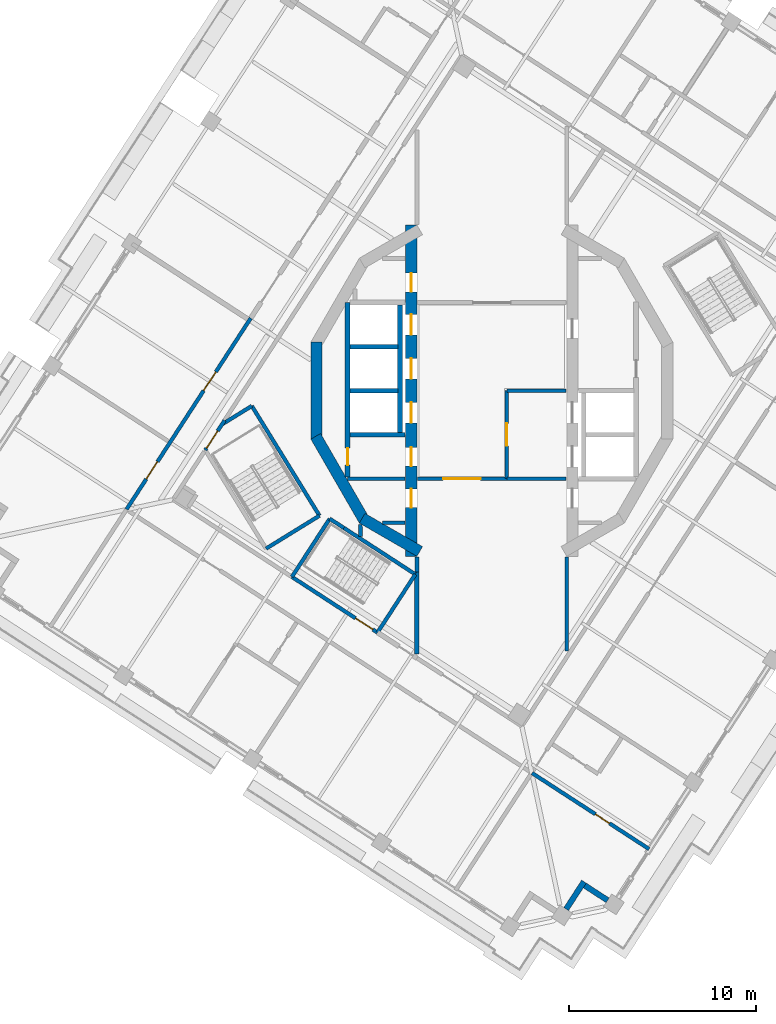
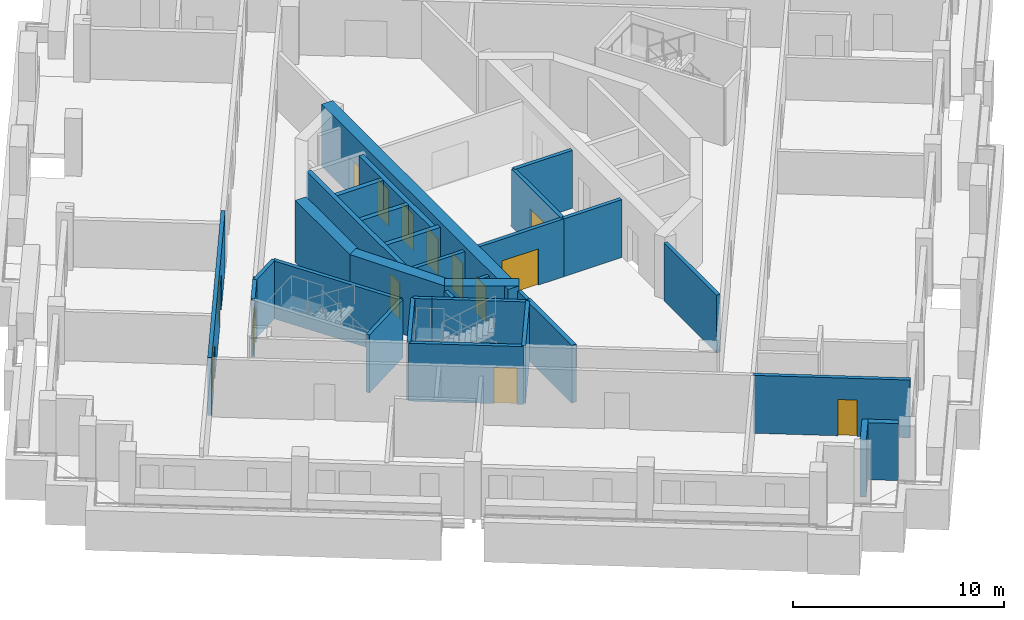
# One storey, part 5 of 15: 32 walls, 14 doors, 14 openings.
"""IFC4 building model written with IfcOpenShell, lengths in metres."""

from ifc_helpers import new_model, si_unit, direction, frame, frame_2d, origin, place, context, subcontext, project, spatial, rectangle, extrude, material, layer, layer_set, type_object, element, fill, save


model = new_model("IFC4")

# Units and contexts
model_context = context("Model", 3, precision=1e-05, world=origin(), true_north=direction((0.0, 1.0)))
body_context = subcontext(model_context, "Body", "Model", "MODEL_VIEW")
ifc_project = project(units=[si_unit("LENGTHUNIT", "METRE"), si_unit("AREAUNIT", "SQUARE_METRE"), si_unit("VOLUMEUNIT", "CUBIC_METRE"), si_unit("PLANEANGLEUNIT", "RADIAN"), si_unit("MASSUNIT", "GRAM", prefix="KILO")], contexts=[model_context])

# Site, building, storey
site_placement = place(None, origin())
site = spatial("IfcSite", under=ifc_project, at=site_placement, CompositionType="ELEMENT")
building_placement = place(site_placement, origin())
building = spatial("IfcBuilding", under=site, at=building_placement, Name="Cantera Rosa Tower", CompositionType="ELEMENT")
storey_placement = place(building_placement, frame((0.0, 0.0, 282.89990234375)))
storey = spatial("IfcBuildingStorey", under=building, at=storey_placement, Name="L64", CompositionType="ELEMENT", Elevation=282.89990234375)

# Wall
ifc_material_1 = material(Name="Gypsum board partition")
ifc_layer_1 = layer(ifc_material_1, 0.199951171875)
ifc_layer_set_1 = layer_set([ifc_layer_1], Name="CORRIDOR WALL 200 H3350")
wall_type_1 = type_object("IfcWallType", Name="CORRIDOR WALL 200 H3350", PredefinedType="PARTITIONING", material=ifc_layer_set_1)
wall_1_placement = place(storey_placement, frame((-4.0, -9.67578125, 0.0), z_axis=(0.0, 0.0, 1.0), x_axis=(0.0, 1.0, 0.0)))
element("IfcWall", 1, at=wall_1_placement, inside=storey, type_object=wall_type_1, Name="CORRIDOR WALL L64-039", PredefinedType="PARTITIONING", context=body_context, shape_type="SweptSolid", body=[
    extrude(rectangle(XDim=0.796875, YDim=0.199951171875, at=frame_2d((0.3984375, 0.0))), origin(), (0.0, 0.0, 1.0), 3.35009765625),
])

# Wall, openings, doors
wall_2_placement = place(storey_placement, frame((-12.869384765625, 3.8681640625, 0.0), z_axis=(0.0, 0.0, 1.0), x_axis=(-0.544651825178, -0.838662261778, 0.0)))
wall_2 = element("IfcWall", 2, at=wall_2_placement, inside=storey, type_object=wall_type_1, Name="CORRIDOR WALL L64-043", PredefinedType="PARTITIONING", context=body_context, shape_type="SweptSolid", body=[
    extrude(rectangle(XDim=12.1650390625, YDim=0.199951171875, at=frame_2d((6.08251953125, 0.0))), origin(), (0.0, 0.0, 1.0), 3.35009765625),
])
opening_1_placement = place(wall_2_placement, frame((3.4150390625, 0.0, 0.0)))
opening_1 = element("IfcOpeningElement", 3, at=opening_1_placement, cuts=wall_2, Name="Opening L64-024", PredefinedType="OPENING", context=body_context, shape_type="SweptSolid", body=[
    extrude(rectangle(XDim=1.199951171875, YDim=2.10009765625, at=frame_2d((0.60009765625, 1.050048828125))), frame((0.0, 0.10986328125, 0.0), z_axis=(0.0, -1.0, 0.0), x_axis=(1.0, 0.0, 0.0)), (0.0, 0.0, 1.0), 0.219970703125),
])
opening_2_placement = place(wall_2_placement, frame((9.135009765625, 0.0, 0.0)))
opening_2 = element("IfcOpeningElement", 4, at=opening_2_placement, cuts=wall_2, Name="Opening L64-028", PredefinedType="OPENING", context=body_context, shape_type="SweptSolid", body=[
    extrude(rectangle(XDim=1.10009765625, YDim=2.10009765625, at=frame_2d((0.550048828125, 1.050048828125))), frame((0.0, 0.10986328125, 0.0), z_axis=(0.0, -1.0, 0.0), x_axis=(1.0, 0.0, 0.0)), (0.0, 0.0, 1.0), 0.219970703125),
])
ifc_material_2 = material(Name="Timber door leaf", Category="wood")
door_type_1 = type_object("IfcDoorType", Name="ROOM DOOR 1100x2100", OperationType="NOTDEFINED", PredefinedType="DOOR", material=ifc_material_2)
door_1_placement = place(opening_2_placement, origin())
door_1 = element("IfcDoor", 5, at=door_1_placement, inside=storey, type_object=door_type_1, Name="DOOR L64-028", OperationType="NOTDEFINED", OverallHeight=2.10009765625, OverallWidth=1.10009765625, PredefinedType="DOOR", context=body_context, shape_type="SweptSolid", body=[
    extrude(rectangle(XDim=1.10009765625, YDim=2.10009765625, at=frame_2d((0.550048828125, 1.050048828125))), frame((0.0, 0.02490234375, 0.0), z_axis=(0.0, -1.0, 0.0), x_axis=(1.0, 0.0, 0.0)), (0.0, 0.0, 1.0), 0.050048828125),
])
fill(opening_2, door_1)
ifc_material_3 = material(Name="Timber door leaf", Category="wood")
door_type_2 = type_object("IfcDoorType", Name="ROOM DOOR 1200x2100", OperationType="NOTDEFINED", PredefinedType="DOOR", material=ifc_material_3)
door_2_placement = place(opening_1_placement, origin())
door_2 = element("IfcDoor", 6, at=door_2_placement, inside=storey, type_object=door_type_2, Name="DOOR L64-024", OperationType="NOTDEFINED", OverallHeight=2.10009765625, OverallWidth=1.199951171875, PredefinedType="DOOR", context=body_context, shape_type="SweptSolid", body=[
    extrude(rectangle(XDim=1.199951171875, YDim=2.10009765625, at=frame_2d((0.60009765625, 1.050048828125))), frame((0.0, 0.02490234375, 0.0), z_axis=(0.0, -1.0, 0.0), x_axis=(1.0, 0.0, 0.0)), (0.0, 0.0, 1.0), 0.050048828125),
])
fill(opening_1, door_2)

# Wall, opening, door
wall_3_placement = place(storey_placement, frame((0.800048828125, -4.699951171875, 0.0), z_axis=(0.0, 0.0, 1.0), x_axis=(-1.0, 0.0, 0.0)))
wall_3 = element("IfcWall", 7, at=wall_3_placement, inside=storey, type_object=wall_type_1, Name="CORRIDOR WALL L64-048", PredefinedType="PARTITIONING", context=body_context, shape_type="SweptSolid", body=[
    extrude(rectangle(XDim=4.77001953125, YDim=0.199951171875, at=frame_2d((2.385009765625, 0.0))), origin(), (0.0, 0.0, 1.0), 3.35009765625),
])
opening_3_placement = place(wall_3_placement, frame((1.39990234375, 0.0, 0.0)))
opening_3 = element("IfcOpeningElement", 8, at=opening_3_placement, cuts=wall_3, Name="Opening L64-011", PredefinedType="OPENING", context=body_context, shape_type="SweptSolid", body=[
    extrude(rectangle(XDim=2.0, YDim=2.10009765625, at=frame_2d((1.0, 1.050048828125))), frame((0.0, 0.10986328125, 0.0), z_axis=(0.0, -1.0, 0.0), x_axis=(1.0, 0.0, 0.0)), (0.0, 0.0, 1.0), 0.219970703125),
])
ifc_material_4 = material(Name="Steel S355J2 (EN 10025-2)", Category="steel")
door_type_3 = type_object("IfcDoorType", Name="LOBBY SCREEN DOOR 2000x2100", OperationType="NOTDEFINED", PredefinedType="DOOR", material=ifc_material_4)
door_3_placement = place(opening_3_placement, origin())
door_3 = element("IfcDoor", 9, at=door_3_placement, inside=storey, type_object=door_type_3, Name="DOOR L64-011", OperationType="NOTDEFINED", OverallHeight=2.10009765625, OverallWidth=2.0, PredefinedType="DOOR", context=body_context, shape_type="SweptSolid", body=[
    extrude(rectangle(XDim=2.0, YDim=2.10009765625, at=frame_2d((1.0, 1.050048828125))), frame((0.0, 0.02490234375, 0.0), z_axis=(0.0, -1.0, 0.0), x_axis=(1.0, 0.0, 0.0)), (0.0, 0.0, 1.0), 0.050048828125),
])
fill(opening_3, door_3)

# Walls
wall_4_placement = place(storey_placement, frame((4.0, -13.90087890625, 0.0), z_axis=(0.0, 0.0, 1.0), x_axis=(0.0, 1.0, 0.0)))
element("IfcWall", 10, at=wall_4_placement, inside=storey, type_object=wall_type_1, Name="CORRIDOR WALL L64-055", PredefinedType="PARTITIONING", context=body_context, shape_type="SweptSolid", body=[
    extrude(rectangle(XDim=5.02197265625, YDim=0.199951171875, at=frame_2d((2.510986328125, 0.0))), origin(), (0.0, 0.0, 1.0), 3.35009765625),
])
ifc_material_5 = material(Name="Hollow clay masonry with cantera stone cladding", Category="masonry")
ifc_layer_2 = layer(ifc_material_5, 0.300048828125)
ifc_layer_set_2 = layer_set([ifc_layer_2], Name="EW-LOGGIA 300")
wall_type_2 = type_object("IfcWallType", Name="EW-LOGGIA 300", PredefinedType="SOLIDWALL", material=ifc_layer_set_2)
wall_5_placement = place(storey_placement, frame((3.966796875, -27.67529296875, 0.0), z_axis=(0.0, 0.0, 1.0), x_axis=(0.544679362749, 0.83864437743, 0.0)))
element("IfcWall", 11, at=wall_5_placement, inside=storey, type_object=wall_type_2, Name="EN-L64-W19a", PredefinedType="SOLIDWALL", context=body_context, shape_type="SweptSolid", body=[
    extrude(rectangle(XDim=1.75, YDim=0.300048828125, at=frame_2d((0.875, 0.0))), origin(), (0.0, 0.0, 1.0), 3.300048828125),
])
wall_6_placement = place(storey_placement, frame((4.964111328125, -26.415283203125, 0.0), z_axis=(0.0, 0.0, 1.0), x_axis=(0.838724343483, -0.544556218997, 0.0)))
element("IfcWall", 12, at=wall_6_placement, inside=storey, type_object=wall_type_2, Name="EN-L64-W19b", PredefinedType="SOLIDWALL", context=body_context, shape_type="SweptSolid", body=[
    extrude(rectangle(XDim=1.449951171875, YDim=0.300048828125, at=frame_2d((0.72509765625, 0.0))), origin(), (0.0, 0.0, 1.0), 3.300048828125),
])
ifc_material_6 = material(Name="Gypsum board partition")
ifc_layer_3 = layer(ifc_material_6, 0.199951171875)
ifc_layer_set_3 = layer_set([ifc_layer_3], Name="PARTITION 200 H3350")
wall_type_3 = type_object("IfcWallType", Name="PARTITION 200 H3350", PredefinedType="PARTITIONING", material=ifc_layer_set_3)
wall_7_placement = place(storey_placement, frame((-7.699951171875, -4.699951171875, 0.0), z_axis=(0.0, 0.0, 1.0), x_axis=(1.0, 0.0, 0.0)))
element("IfcWall", 13, at=wall_7_placement, inside=storey, type_object=wall_type_3, Name="PARTITION L64-021", PredefinedType="PARTITIONING", context=body_context, shape_type="SweptSolid", body=[
    extrude(rectangle(XDim=3.070068359375, YDim=0.199951171875, at=frame_2d((1.53515625, 0.0))), origin(), (0.0, 0.0, 1.0), 3.35009765625),
])
wall_8_placement = place(storey_placement, frame((-7.018798828125, -7.135986328125, 0.0), z_axis=(0.0, 0.0, 1.0), x_axis=(0.017606861895, -0.999844987193, 0.0)))
element("IfcWall", 14, at=wall_8_placement, inside=storey, type_object=wall_type_3, Name="PARTITION L64-027", PredefinedType="PARTITIONING", context=body_context, shape_type="SweptSolid", body=[
    extrude(rectangle(XDim=0.651611328125, YDim=0.199951171875, at=frame_2d((0.32568359375, 0.0))), origin(), (0.0, 0.0, 1.0), 3.35009765625),
])
wall_9_placement = place(storey_placement, frame((-4.6298828125, -7.050048828125, 0.0), z_axis=(0.0, 0.0, 1.0), x_axis=(-1.0, 0.0, 0.0)))
element("IfcWall", 15, at=wall_9_placement, inside=storey, type_object=wall_type_3, Name="PARTITION L64-034", PredefinedType="PARTITIONING", context=body_context, shape_type="SweptSolid", body=[
    extrude(rectangle(XDim=1.2177734375, YDim=0.199951171875, at=frame_2d((0.60888671875, 0.0))), origin(), (0.0, 0.0, 1.0), 3.35009765625),
])

# Wall, opening, door
wall_10_placement = place(storey_placement, frame((2.148681640625, -20.41357421875, 0.0), z_axis=(0.0, 0.0, 1.0), x_axis=(0.83866516607, -0.544647353083, 0.0)))
wall_10 = element("IfcWall", 16, at=wall_10_placement, inside=storey, type_object=wall_type_3, Name="PARTITION L64-052", PredefinedType="PARTITIONING", context=body_context, shape_type="SweptSolid", body=[
    extrude(rectangle(XDim=7.449951171875, YDim=0.199951171875, at=frame_2d((3.72509765625, 0.0))), origin(), (0.0, 0.0, 1.0), 3.35009765625),
])
opening_4_placement = place(wall_10_placement, frame((4.030029296875, 0.0, 0.0)))
opening_4 = element("IfcOpeningElement", 17, at=opening_4_placement, cuts=wall_10, Name="Opening L64-037", PredefinedType="OPENING", context=body_context, shape_type="SweptSolid", body=[
    extrude(rectangle(XDim=0.89990234375, YDim=2.10009765625, at=frame_2d((0.449951171875, 1.050048828125))), frame((0.0, 0.10986328125, 0.0), z_axis=(0.0, -1.0, 0.0), x_axis=(1.0, 0.0, 0.0)), (0.0, 0.0, 1.0), 0.219970703125),
])
ifc_material_7 = material(Name="Timber door leaf", Category="wood")
door_type_4 = type_object("IfcDoorType", Name="ROOM DOOR 900x2100", OperationType="NOTDEFINED", PredefinedType="DOOR", material=ifc_material_7)
door_4_placement = place(opening_4_placement, origin())
door_4 = element("IfcDoor", 18, at=door_4_placement, inside=storey, type_object=door_type_4, Name="DOOR L64-037", OperationType="NOTDEFINED", OverallHeight=2.10009765625, OverallWidth=0.89990234375, PredefinedType="DOOR", context=body_context, shape_type="SweptSolid", body=[
    extrude(rectangle(XDim=0.89990234375, YDim=2.10009765625, at=frame_2d((0.449951171875, 1.050048828125))), frame((0.0, 0.02490234375, 0.0), z_axis=(0.0, -1.0, 0.0), x_axis=(1.0, 0.0, 0.0)), (0.0, 0.0, 1.0), 0.050048828125),
])
fill(opening_4, door_4)

# Walls
ifc_material_8 = material(Name="Concrete C50/60", Category="concrete")
ifc_layer_4 = layer(ifc_material_8, 0.60009765625)
ifc_layer_set_4 = layer_set([ifc_layer_4], Name="RC CORE WALL 600 C50/60")
wall_type_4 = type_object("IfcWallType", Name="RC CORE WALL 600 C50/60", PredefinedType="SHEAR", material=ifc_layer_set_4)
wall_11_placement = place(storey_placement, frame((-3.85009765625, -8.584228515625, 0.0), z_axis=(0.0, 0.0, 1.0), x_axis=(-0.866039982607, 0.499974747889, 0.0)))
element("IfcWall", 19, at=wall_11_placement, inside=storey, type_object=wall_type_4, Name="CW-W1 L64", PredefinedType="SHEAR", context=body_context, shape_type="SweptSolid", body=[
    extrude(rectangle(XDim=3.546142578125, YDim=0.60009765625, at=frame_2d((1.77294921875, 0.0))), origin(), (0.0, 0.0, 1.0), 3.60009765625),
])
for number, where, z_axis, x_axis, name in (
    (20, (-6.811279296875, -6.921142578125, 0.0), (0.0, 0.0, 1.0), (-0.499989188378, 0.866031645787, 0.0), "CW-W2 L64"),
    (21, (-9.359375, -2.588134765625, 0.0), (0.0, 0.0, 1.0), (0.0, 1.0, 0.0), "CW-W3 L64"),
):
    element("IfcWall", number, at=place(storey_placement, frame(where, z_axis=z_axis, x_axis=x_axis)), inside=storey, type_object=wall_type_4, Name=name, PredefinedType="SHEAR", context=body_context, shape_type="SweptSolid", body=[
        extrude(rectangle(XDim=5.17626953125, YDim=0.60009765625, at=frame_2d((2.588134765625, 0.0))), origin(), (0.0, 0.0, 1.0), 3.60009765625),
    ])

# Wall, openings, doors
wall_12_placement = place(storey_placement, frame((-4.300048828125, 8.84423828125, 0.0), z_axis=(0.0, 0.0, 1.0), x_axis=(0.0, -1.0, 0.0)))
wall_12 = element("IfcWall", 22, at=wall_12_placement, inside=storey, type_object=wall_type_4, Name="CW-W6 L64", PredefinedType="SHEAR", context=body_context, shape_type="SweptSolid", body=[
    extrude(rectangle(XDim=17.6884765625, YDim=0.60009765625, at=frame_2d((8.84423828125, 0.0))), origin(), (0.0, 0.0, 1.0), 3.60009765625),
])
opening_5_placement = place(wall_12_placement, frame((9.468994140625, 0.0, 0.0)))
opening_5 = element("IfcOpeningElement", 23, at=opening_5_placement, cuts=wall_12, Name="Opening LD-H1-L64", PredefinedType="OPENING", context=body_context, shape_type="SweptSolid", body=[
    extrude(rectangle(XDim=1.10009765625, YDim=2.10009765625, at=frame_2d((0.550048828125, 1.050048828125))), frame((0.0, 0.31005859375, 0.0), z_axis=(0.0, -1.0, 0.0), x_axis=(1.0, 0.0, 0.0)), (0.0, 0.0, 1.0), 0.6201171875),
])
opening_6_placement = place(wall_12_placement, frame((7.119140625, 0.0, 0.0)))
opening_6 = element("IfcOpeningElement", 24, at=opening_6_placement, cuts=wall_12, Name="Opening LD-H2-L64", PredefinedType="OPENING", context=body_context, shape_type="SweptSolid", body=[
    extrude(rectangle(XDim=1.10009765625, YDim=2.10009765625, at=frame_2d((0.550048828125, 1.050048828125))), frame((0.0, 0.31005859375, 0.0), z_axis=(0.0, -1.0, 0.0), x_axis=(1.0, 0.0, 0.0)), (0.0, 0.0, 1.0), 0.6201171875),
])
opening_7_placement = place(wall_12_placement, frame((4.76904296875, 0.0, 0.0)))
opening_7 = element("IfcOpeningElement", 25, at=opening_7_placement, cuts=wall_12, Name="Opening LD-H3-L64", PredefinedType="OPENING", context=body_context, shape_type="SweptSolid", body=[
    extrude(rectangle(XDim=1.10009765625, YDim=2.10009765625, at=frame_2d((0.550048828125, 1.050048828125))), frame((0.0, 0.31005859375, 0.0), z_axis=(0.0, -1.0, 0.0), x_axis=(1.0, 0.0, 0.0)), (0.0, 0.0, 1.0), 0.6201171875),
])
opening_8_placement = place(wall_12_placement, frame((14.091552734375, 0.0, 0.0)))
opening_8 = element("IfcOpeningElement", 26, at=opening_8_placement, cuts=wall_12, Name="Opening SD-L64-13", PredefinedType="OPENING", context=body_context, shape_type="SweptSolid", body=[
    extrude(rectangle(XDim=1.0, YDim=2.10009765625, at=frame_2d((0.5, 1.050048828125))), frame((0.0, 0.31005859375, 0.0), z_axis=(0.0, -1.0, 0.0), x_axis=(1.0, 0.0, 0.0)), (0.0, 0.0, 1.0), 0.6201171875),
])
opening_9_placement = place(wall_12_placement, frame((2.572265625, 0.0, 0.0)))
opening_9 = element("IfcOpeningElement", 27, at=opening_9_placement, cuts=wall_12, Name="Opening SD-L64-14", PredefinedType="OPENING", context=body_context, shape_type="SweptSolid", body=[
    extrude(rectangle(XDim=1.0, YDim=2.10009765625, at=frame_2d((0.5, 1.050048828125))), frame((0.0, 0.31005859375, 0.0), z_axis=(0.0, -1.0, 0.0), x_axis=(1.0, 0.0, 0.0)), (0.0, 0.0, 1.0), 0.6201171875),
])
opening_10_placement = place(wall_12_placement, frame((11.869140625, 0.0, 0.0)))
opening_10 = element("IfcOpeningElement", 28, at=opening_10_placement, cuts=wall_12, Name="Opening SD-L64-15", PredefinedType="OPENING", context=body_context, shape_type="SweptSolid", body=[
    extrude(rectangle(XDim=1.0, YDim=2.10009765625, at=frame_2d((0.5, 1.050048828125))), frame((0.0, 0.31005859375, 0.0), z_axis=(0.0, -1.0, 0.0), x_axis=(1.0, 0.0, 0.0)), (0.0, 0.0, 1.0), 0.6201171875),
])
ifc_material_9 = material(Name="Steel S355J2 (EN 10025-2)", Category="steel")
door_type_5 = type_object("IfcDoorType", Name="LANDING DOOR 1100x2100", OperationType="NOTDEFINED", PredefinedType="DOOR", material=ifc_material_9)
door_5_placement = place(opening_5_placement, origin())
door_5 = element("IfcDoor", 29, at=door_5_placement, inside=storey, type_object=door_type_5, Name="LANDING DOOR H1 L64", OperationType="SLIDING_TO_LEFT", OverallHeight=2.10009765625, OverallWidth=1.10009765625, PredefinedType="DOOR", context=body_context, shape_type="SweptSolid", body=[
    extrude(rectangle(XDim=1.10009765625, YDim=2.10009765625, at=frame_2d((0.550048828125, 1.050048828125))), frame((0.0, 0.02490234375, 0.0), z_axis=(0.0, -1.0, 0.0), x_axis=(1.0, 0.0, 0.0)), (0.0, 0.0, 1.0), 0.050048828125),
])
fill(opening_5, door_5)
door_6_placement = place(opening_6_placement, origin())
door_6 = element("IfcDoor", 30, at=door_6_placement, inside=storey, type_object=door_type_5, Name="LANDING DOOR H2 L64", OperationType="SLIDING_TO_LEFT", OverallHeight=2.10009765625, OverallWidth=1.10009765625, PredefinedType="DOOR", context=body_context, shape_type="SweptSolid", body=[
    extrude(rectangle(XDim=1.10009765625, YDim=2.10009765625, at=frame_2d((0.550048828125, 1.050048828125))), frame((0.0, 0.02490234375, 0.0), z_axis=(0.0, -1.0, 0.0), x_axis=(1.0, 0.0, 0.0)), (0.0, 0.0, 1.0), 0.050048828125),
])
fill(opening_6, door_6)
door_7_placement = place(opening_7_placement, origin())
door_7 = element("IfcDoor", 31, at=door_7_placement, inside=storey, type_object=door_type_5, Name="LANDING DOOR H3 L64", OperationType="SLIDING_TO_LEFT", OverallHeight=2.10009765625, OverallWidth=1.10009765625, PredefinedType="DOOR", context=body_context, shape_type="SweptSolid", body=[
    extrude(rectangle(XDim=1.10009765625, YDim=2.10009765625, at=frame_2d((0.550048828125, 1.050048828125))), frame((0.0, 0.02490234375, 0.0), z_axis=(0.0, -1.0, 0.0), x_axis=(1.0, 0.0, 0.0)), (0.0, 0.0, 1.0), 0.050048828125),
])
fill(opening_7, door_7)
ifc_material_10 = material(Name="Timber door leaf", Category="wood")
door_type_6 = type_object("IfcDoorType", Name="SERVICE DOOR 1000x2100", OperationType="NOTDEFINED", PredefinedType="DOOR", material=ifc_material_10)
door_8_placement = place(opening_8_placement, origin())
door_8 = element("IfcDoor", 32, at=door_8_placement, inside=storey, type_object=door_type_6, Name="DOOR L64-SD13", OperationType="NOTDEFINED", OverallHeight=2.10009765625, OverallWidth=1.0, PredefinedType="DOOR", context=body_context, shape_type="SweptSolid", body=[
    extrude(rectangle(XDim=1.0, YDim=2.10009765625, at=frame_2d((0.5, 1.050048828125))), frame((0.0, 0.02490234375, 0.0), z_axis=(0.0, -1.0, 0.0), x_axis=(1.0, 0.0, 0.0)), (0.0, 0.0, 1.0), 0.050048828125),
])
fill(opening_8, door_8)
door_9_placement = place(opening_9_placement, origin())
door_9 = element("IfcDoor", 33, at=door_9_placement, inside=storey, type_object=door_type_6, Name="DOOR L64-SD14", OperationType="NOTDEFINED", OverallHeight=2.10009765625, OverallWidth=1.0, PredefinedType="DOOR", context=body_context, shape_type="SweptSolid", body=[
    extrude(rectangle(XDim=1.0, YDim=2.10009765625, at=frame_2d((0.5, 1.050048828125))), frame((0.0, 0.02490234375, 0.0), z_axis=(0.0, -1.0, 0.0), x_axis=(1.0, 0.0, 0.0)), (0.0, 0.0, 1.0), 0.050048828125),
])
fill(opening_9, door_9)
door_10_placement = place(opening_10_placement, origin())
door_10 = element("IfcDoor", 34, at=door_10_placement, inside=storey, type_object=door_type_6, Name="DOOR L64-SD15", OperationType="NOTDEFINED", OverallHeight=2.10009765625, OverallWidth=1.0, PredefinedType="DOOR", context=body_context, shape_type="SweptSolid", body=[
    extrude(rectangle(XDim=1.0, YDim=2.10009765625, at=frame_2d((0.5, 1.050048828125))), frame((0.0, 0.02490234375, 0.0), z_axis=(0.0, -1.0, 0.0), x_axis=(1.0, 0.0, 0.0)), (0.0, 0.0, 1.0), 0.050048828125),
])
fill(opening_10, door_10)

# Walls
ifc_material_11 = material(Name="Masonry blockwork", Category="masonry")
ifc_layer_5 = layer(ifc_material_11, 0.25)
ifc_layer_set_5 = layer_set([ifc_layer_5], Name="SHAFT WALL 250 H3350")
wall_type_5 = type_object("IfcWallType", Name="SHAFT WALL 250 H3350", PredefinedType="SOLIDWALL", material=ifc_layer_set_5)
for number, where, z_axis, x_axis, name in (
    (35, (-7.574951171875, 0.0, 0.0), (0.0, 0.0, 1.0), (1.0, 0.0, 0.0), "SHAFT WALL L64-022"),
    (36, (-7.574951171875, 2.35009765625, 0.0), (0.0, 0.0, 1.0), (1.0, 0.0, 0.0), "SHAFT WALL L64-023"),
):
    element("IfcWall", number, at=place(storey_placement, frame(where, z_axis=z_axis, x_axis=x_axis)), inside=storey, type_object=wall_type_5, Name=name, PredefinedType="SOLIDWALL", context=body_context, shape_type="SweptSolid", body=[
        extrude(rectangle(XDim=2.554931640625, YDim=0.25, at=frame_2d((1.27734375, 0.0))), origin(), (0.0, 0.0, 1.0), 3.35009765625),
    ])

# Wall, opening, door
wall_13_placement = place(storey_placement, frame((-7.699951171875, 4.699951171875, 0.0), z_axis=(0.0, 0.0, 1.0), x_axis=(0.0, -1.0, 0.0)))
wall_13 = element("IfcWall", 37, at=wall_13_placement, inside=storey, type_object=wall_type_5, Name="SHAFT WALL L64-024", PredefinedType="SOLIDWALL", context=body_context, shape_type="SweptSolid", body=[
    extrude(rectangle(XDim=9.320068359375, YDim=0.25, at=frame_2d((4.66015625, 0.0))), origin(), (0.0, 0.0, 1.0), 3.35009765625),
])
opening_11_placement = place(wall_13_placement, frame((7.7705078125, 0.0, 0.0)))
opening_11 = element("IfcOpeningElement", 38, at=opening_11_placement, cuts=wall_13, Name="Opening L64-042", PredefinedType="OPENING", context=body_context, shape_type="SweptSolid", body=[
    extrude(rectangle(XDim=0.89990234375, YDim=2.10009765625, at=frame_2d((0.449951171875, 1.050048828125))), frame((0.0, 0.135009765625, 0.0), z_axis=(0.0, -1.0, 0.0), x_axis=(1.0, 0.0, 0.0)), (0.0, 0.0, 1.0), 0.27001953125),
])
ifc_material_12 = material(Name="Timber door leaf", Category="wood")
door_type_7 = type_object("IfcDoorType", Name="SERVICE DOOR 900x2100", OperationType="NOTDEFINED", PredefinedType="DOOR", material=ifc_material_12)
door_11_placement = place(opening_11_placement, origin())
door_11 = element("IfcDoor", 39, at=door_11_placement, inside=storey, type_object=door_type_7, Name="RISER DOOR L64-042", OperationType="NOTDEFINED", OverallHeight=2.10009765625, OverallWidth=0.89990234375, PredefinedType="DOOR", context=body_context, shape_type="SweptSolid", body=[
    extrude(rectangle(XDim=0.89990234375, YDim=2.10009765625, at=frame_2d((0.449951171875, 1.050048828125))), frame((0.0, 0.02490234375, 0.0), z_axis=(0.0, -1.0, 0.0), x_axis=(1.0, 0.0, 0.0)), (0.0, 0.0, 1.0), 0.050048828125),
])
fill(opening_11, door_11)

# Walls
wall_14_placement = place(storey_placement, frame((-4.89990234375, -2.22509765625, 0.0), z_axis=(0.0, 0.0, 1.0), x_axis=(0.0, 1.0, 0.0)))
element("IfcWall", 40, at=wall_14_placement, inside=storey, type_object=wall_type_5, Name="SHAFT WALL L64-033", PredefinedType="SOLIDWALL", context=body_context, shape_type="SweptSolid", body=[
    extrude(rectangle(XDim=6.800048828125, YDim=0.25, at=frame_2d((3.39990234375, 0.0))), origin(), (0.0, 0.0, 1.0), 3.35009765625),
])
wall_15_placement = place(storey_placement, frame((-4.6298828125, -2.35009765625, 0.0), z_axis=(0.0, 0.0, 1.0), x_axis=(-1.0, 0.0, 0.0)))
element("IfcWall", 41, at=wall_15_placement, inside=storey, type_object=wall_type_5, Name="SHAFT WALL L64-035", PredefinedType="SOLIDWALL", context=body_context, shape_type="SweptSolid", body=[
    extrude(rectangle(XDim=2.945068359375, YDim=0.25, at=frame_2d((1.47265625, 0.0))), origin(), (0.0, 0.0, 1.0), 3.35009765625),
])
wall_16_placement = place(storey_placement, frame((-4.0, -9.67578125, 0.0), z_axis=(0.0, 0.0, 1.0), x_axis=(0.0, -1.0, 0.0)))
element("IfcWall", 42, at=wall_16_placement, inside=storey, type_object=wall_type_5, Name="SHAFT WALL L64-038", PredefinedType="SOLIDWALL", context=body_context, shape_type="SweptSolid", body=[
    extrude(rectangle(XDim=4.37841796875, YDim=0.25, at=frame_2d((2.189208984375, 0.0))), origin(), (0.0, 0.0, 1.0), 3.35009765625),
])

# Wall, opening, door
ifc_material_13 = material(Name="Concrete C50/60", Category="concrete")
ifc_layer_6 = layer(ifc_material_13, 0.199951171875)
ifc_layer_set_6 = layer_set([ifc_layer_6], Name="STAIR WALL 200 H3350")
wall_type_6 = type_object("IfcWallType", Name="STAIR WALL 200 H3350", PredefinedType="SOLIDWALL", material=ifc_layer_set_6)
wall_17_placement = place(storey_placement, frame((-14.268310546875, -1.5908203125, 0.0), z_axis=(0.0, 0.0, 1.0), x_axis=(-0.544651565877, -0.838662430176, 0.0)))
wall_17 = element("IfcWall", 43, at=wall_17_placement, inside=storey, type_object=wall_type_6, Name="STAIR WALL L64-011", PredefinedType="SOLIDWALL", context=body_context, shape_type="SweptSolid", body=[
    extrude(rectangle(XDim=1.8857421875, YDim=0.199951171875, at=frame_2d((0.94287109375, 0.0))), origin(), (0.0, 0.0, 1.0), 3.35009765625),
])
opening_12_placement = place(wall_17_placement, frame((0.6689453125, 0.0, 0.0)))
opening_12 = element("IfcOpeningElement", 44, at=opening_12_placement, cuts=wall_17, Name="Opening L64-002", PredefinedType="OPENING", context=body_context, shape_type="SweptSolid", body=[
    extrude(rectangle(XDim=1.10009765625, YDim=2.10009765625, at=frame_2d((0.550048828125, 1.050048828125))), frame((0.0, 0.10986328125, 0.0), z_axis=(0.0, -1.0, 0.0), x_axis=(1.0, 0.0, 0.0)), (0.0, 0.0, 1.0), 0.219970703125),
])
ifc_material_14 = material(Name="Steel S355J2 (EN 10025-2)", Category="steel")
door_type_8 = type_object("IfcDoorType", Name="STAIR DOOR 1100x2100", OperationType="NOTDEFINED", PredefinedType="DOOR", material=ifc_material_14)
door_12_placement = place(opening_12_placement, origin())
door_12 = element("IfcDoor", 45, at=door_12_placement, inside=storey, type_object=door_type_8, Name="DOOR L64-002", OperationType="NOTDEFINED", OverallHeight=2.10009765625, OverallWidth=1.10009765625, PredefinedType="DOOR", context=body_context, shape_type="SweptSolid", body=[
    extrude(rectangle(XDim=1.10009765625, YDim=2.10009765625, at=frame_2d((0.550048828125, 1.050048828125))), frame((0.0, 0.02490234375, 0.0), z_axis=(0.0, -1.0, 0.0), x_axis=(1.0, 0.0, 0.0)), (0.0, 0.0, 1.0), 0.050048828125),
])
fill(opening_12, door_12)

# Walls
wall_18_placement = place(storey_placement, frame((-12.811279296875, -0.818359375, 0.0), z_axis=(0.0, 0.0, 1.0), x_axis=(-0.851125244186, -0.524962683158, 0.0)))
element("IfcWall", 46, at=wall_18_placement, inside=storey, type_object=wall_type_6, Name="STAIR WALL L64-013", PredefinedType="SOLIDWALL", context=body_context, shape_type="SweptSolid", body=[
    extrude(rectangle(XDim=1.872802734375, YDim=0.199951171875, at=frame_2d((0.9365234375, 0.0))), origin(), (0.0, 0.0, 1.0), 3.35009765625),
])
wall_19_placement = place(storey_placement, frame((-12.05078125, -8.4326171875, 0.0), z_axis=(0.0, 0.0, 1.0), x_axis=(0.85113993661, 0.524938861495, 0.0)))
element("IfcWall", 47, at=wall_19_placement, inside=storey, type_object=wall_type_6, Name="STAIR WALL L64-014", PredefinedType="SOLIDWALL", context=body_context, shape_type="SweptSolid", body=[
    extrude(rectangle(XDim=3.35009765625, YDim=0.199951171875, at=frame_2d((1.675048828125, 0.0))), origin(), (0.0, 0.0, 1.0), 3.35009765625),
])

# Wall, opening, door
wall_20_placement = place(storey_placement, frame((-10.67138671875, -9.94189453125, 0.0), z_axis=(0.0, 0.0, 1.0), x_axis=(0.838674843592, -0.544632451041, 0.0)))
wall_20 = element("IfcWall", 48, at=wall_20_placement, inside=storey, type_object=wall_type_6, Name="STAIR WALL L64-016", PredefinedType="SOLIDWALL", context=body_context, shape_type="SweptSolid", body=[
    extrude(rectangle(XDim=5.449951171875, YDim=0.199951171875, at=frame_2d((2.72509765625, 0.0))), origin(), (0.0, 0.0, 1.0), 3.35009765625),
])
opening_13_placement = place(wall_20_placement, frame((4.050048828125, 0.0, 0.0)))
opening_13 = element("IfcOpeningElement", 49, at=opening_13_placement, cuts=wall_20, Name="Opening L64-003", PredefinedType="OPENING", context=body_context, shape_type="SweptSolid", body=[
    extrude(rectangle(XDim=1.10009765625, YDim=2.10009765625, at=frame_2d((0.550048828125, 1.050048828125))), frame((0.0, 0.10986328125, 0.0), z_axis=(0.0, -1.0, 0.0), x_axis=(1.0, 0.0, 0.0)), (0.0, 0.0, 1.0), 0.219970703125),
])
door_13_placement = place(opening_13_placement, origin())
door_13 = element("IfcDoor", 50, at=door_13_placement, inside=storey, type_object=door_type_8, Name="DOOR L64-003", OperationType="NOTDEFINED", OverallHeight=2.10009765625, OverallWidth=1.10009765625, PredefinedType="DOOR", context=body_context, shape_type="SweptSolid", body=[
    extrude(rectangle(XDim=1.10009765625, YDim=2.10009765625, at=frame_2d((0.550048828125, 1.050048828125))), frame((0.0, 0.02490234375, 0.0), z_axis=(0.0, -1.0, 0.0), x_axis=(1.0, 0.0, 0.0)), (0.0, 0.0, 1.0), 0.050048828125),
])
fill(opening_13, door_13)

# Walls
wall_21_placement = place(storey_placement, frame((-9.199462890625, -6.674072265625, 0.0), z_axis=(0.0, 0.0, 1.0), x_axis=(-0.524972254536, 0.851119340614, 0.0)))
element("IfcWall", 51, at=wall_21_placement, inside=storey, type_object=wall_type_6, Name="STAIR WALL L64-017", PredefinedType="SOLIDWALL", context=body_context, shape_type="SweptSolid", body=[
    extrude(rectangle(XDim=6.880126953125, YDim=0.199951171875, at=frame_2d((3.43994140625, 0.0))), origin(), (0.0, 0.0, 1.0), 3.35009765625),
])
wall_22_placement = place(storey_placement, frame((-8.65478515625, -6.8369140625, 0.0), z_axis=(0.0, 0.0, 1.0), x_axis=(-0.544677727046, -0.838645439778, 0.0)))
element("IfcWall", 52, at=wall_22_placement, inside=storey, type_object=wall_type_6, Name="STAIR WALL L64-019", PredefinedType="SOLIDWALL", context=body_context, shape_type="SweptSolid", body=[
    extrude(rectangle(XDim=3.702392578125, YDim=0.199951171875, at=frame_2d((1.85107421875, 0.0))), origin(), (0.0, 0.0, 1.0), 3.35009765625),
])
wall_23_placement = place(storey_placement, frame((-8.65478515625, -6.8369140625, 0.0), z_axis=(0.0, 0.0, 1.0), x_axis=(0.838666637781, -0.54464508689, 0.0)))
element("IfcWall", 53, at=wall_23_placement, inside=storey, type_object=wall_type_6, Name="STAIR WALL L64-020", PredefinedType="SOLIDWALL", context=body_context, shape_type="SweptSolid", body=[
    extrude(rectangle(XDim=0.900146484375, YDim=0.199951171875, at=frame_2d((0.4501953125, 0.0))), origin(), (0.0, 0.0, 1.0), 3.35009765625),
])
wall_24_placement = place(storey_placement, frame((-6.1005859375, -12.91015625, 0.0), z_axis=(0.0, 0.0, 1.0), x_axis=(0.544677727046, 0.838645439778, 0.0)))
element("IfcWall", 54, at=wall_24_placement, inside=storey, type_object=wall_type_6, Name="STAIR WALL L64-029", PredefinedType="SOLIDWALL", context=body_context, shape_type="SweptSolid", body=[
    extrude(rectangle(XDim=3.702392578125, YDim=0.199951171875, at=frame_2d((1.85107421875, 0.0))), origin(), (0.0, 0.0, 1.0), 3.35009765625),
])

# Wall, opening, door
wall_25_placement = place(storey_placement, frame((0.800048828125, -4.699951171875, 0.0), z_axis=(0.0, 0.0, 1.0), x_axis=(0.0, 1.0, 0.0)))
wall_25 = element("IfcWall", 55, at=wall_25_placement, inside=storey, type_object=wall_type_6, Name="STAIR WALL L64-049", PredefinedType="SOLIDWALL", context=body_context, shape_type="SweptSolid", body=[
    extrude(rectangle(XDim=4.699951171875, YDim=0.199951171875, at=frame_2d((2.35009765625, 0.0))), origin(), (0.0, 0.0, 1.0), 3.35009765625),
])
opening_14_placement = place(wall_25_placement, frame((1.75, 0.0, 0.0)))
opening_14 = element("IfcOpeningElement", 56, at=opening_14_placement, cuts=wall_25, Name="Opening L64-012", PredefinedType="OPENING", context=body_context, shape_type="SweptSolid", body=[
    extrude(rectangle(XDim=1.199951171875, YDim=2.10009765625, at=frame_2d((0.60009765625, 1.050048828125))), frame((0.0, 0.10986328125, 0.0), z_axis=(0.0, -1.0, 0.0), x_axis=(1.0, 0.0, 0.0)), (0.0, 0.0, 1.0), 0.219970703125),
])
ifc_material_15 = material(Name="Steel S355J2 (EN 10025-2)", Category="steel")
door_type_9 = type_object("IfcDoorType", Name="FIRE DOOR 1200x2100", OperationType="NOTDEFINED", PredefinedType="DOOR", material=ifc_material_15)
door_14_placement = place(opening_14_placement, origin())
door_14 = element("IfcDoor", 57, at=door_14_placement, inside=storey, type_object=door_type_9, Name="DOOR L64-012", OperationType="NOTDEFINED", OverallHeight=2.10009765625, OverallWidth=1.199951171875, PredefinedType="DOOR", context=body_context, shape_type="SweptSolid", body=[
    extrude(rectangle(XDim=1.199951171875, YDim=2.10009765625, at=frame_2d((0.60009765625, 1.050048828125))), frame((0.0, 0.02490234375, 0.0), z_axis=(0.0, -1.0, 0.0), x_axis=(1.0, 0.0, 0.0)), (0.0, 0.0, 1.0), 0.050048828125),
])
fill(opening_14, door_14)

# Walls
for number, where, z_axis, x_axis, name in (
    (58, (0.800048828125, 0.0, 0.0), (0.0, 0.0, 1.0), (1.0, 0.0, 0.0), "STAIR WALL L64-050"),
    (59, (3.969970703125, -4.699951171875, 0.0), (0.0, 0.0, 1.0), (-1.0, 0.0, 0.0), "STAIR WALL L64-054"),
):
    element("IfcWall", number, at=place(storey_placement, frame(where, z_axis=z_axis, x_axis=x_axis)), inside=storey, type_object=wall_type_6, Name=name, PredefinedType="SOLIDWALL", context=body_context, shape_type="SweptSolid", body=[
        extrude(rectangle(XDim=3.169921875, YDim=0.199951171875, at=frame_2d((1.5849609375, 0.0))), origin(), (0.0, 0.0, 1.0), 3.35009765625),
    ])
wall_26_placement = place(storey_placement, frame((-7.89990234375, -7.3271484375, 0.0), z_axis=(0.0, 0.0, 1.0), x_axis=(0.8386764669, -0.544629951314, 0.0)))
element("IfcWall", 60, at=wall_26_placement, inside=storey, type_object=wall_type_6, Name="STAIR WALL L64-020 J", PredefinedType="SOLIDWALL", context=body_context, shape_type="SweptSolid", body=[
    extrude(rectangle(XDim=4.550048828125, YDim=0.199951171875, at=frame_2d((2.27490234375, 0.0))), origin(), (0.0, 0.0, 1.0), 3.35009765625),
])

save(model, "model.ifc")
